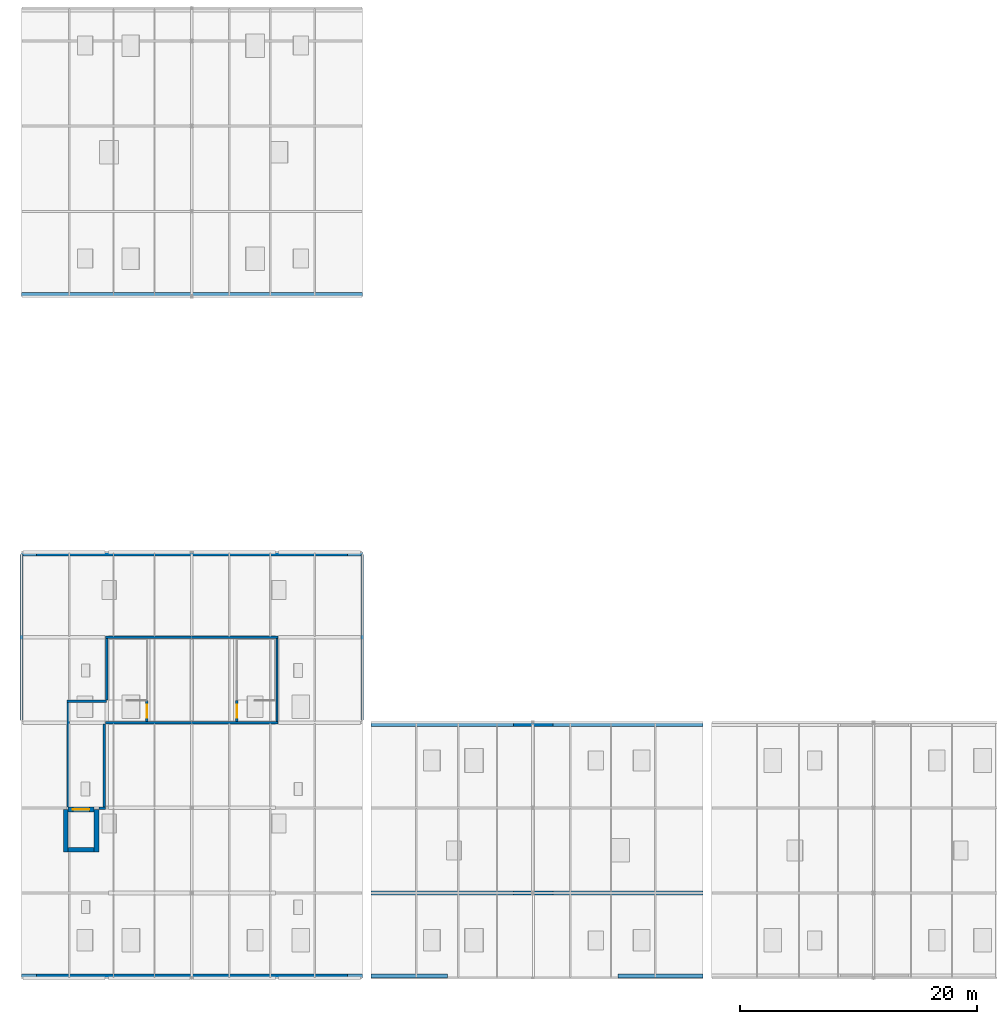
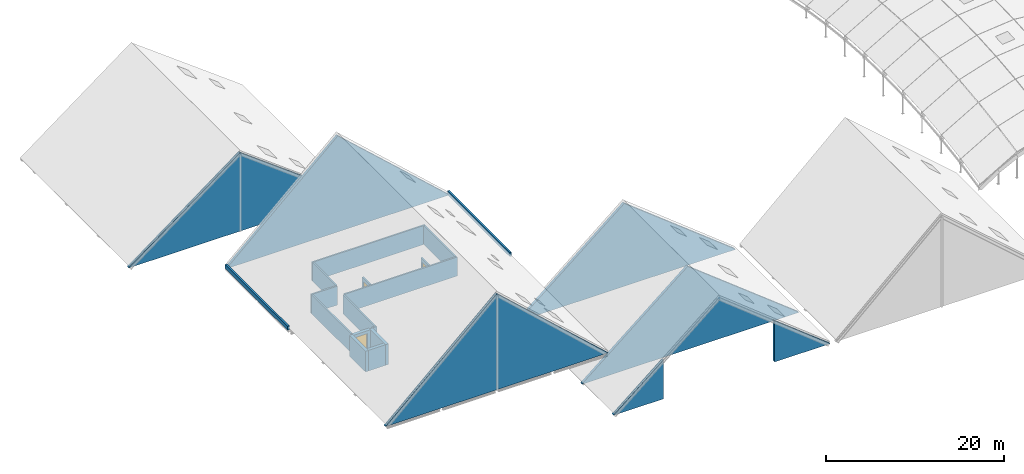
# One storey, part 33 of 35: 23 walls, 3 doors, 3 openings.
"""IFC4 building model written with IfcOpenShell, lengths in metres."""

from ifc_helpers import new_model, si_unit, direction, frame, frame_2d, origin, place, context, subcontext, project, spatial, polyline, rectangle, outline, extrude, material, layer, layer_set, type_object, element, fill, save


model = new_model("IFC4")

# Units and contexts
model_context = context("Model", 3, precision=1e-05, world=origin(), true_north=direction((0.0, 1.0)))
body_context = subcontext(model_context, "Body", "Model", "MODEL_VIEW")
ifc_project = project(units=[si_unit("LENGTHUNIT", "METRE"), si_unit("AREAUNIT", "SQUARE_METRE"), si_unit("VOLUMEUNIT", "CUBIC_METRE"), si_unit("PLANEANGLEUNIT", "RADIAN"), si_unit("MASSUNIT", "GRAM", prefix="KILO")], contexts=[model_context])

# Site, building, storey
site_placement = place(None, origin())
site = spatial("IfcSite", under=ifc_project, at=site_placement, CompositionType="ELEMENT")
building_placement = place(site_placement, origin())
building = spatial("IfcBuilding", under=site, at=building_placement, Name="Zarrinpeak Specialist Clinic", CompositionType="ELEMENT")
storey_placement = place(building_placement, frame((0.0, 0.0, 31.60009765625)))
storey = spatial("IfcBuildingStorey", under=building, at=storey_placement, Name="RF", CompositionType="ELEMENT", Elevation=31.60009765625)

# Wall
ifc_material_1 = material(Name="Concrete C40/50", Category="concrete")
ifc_layer_1 = layer(ifc_material_1, 0.39990234375)
ifc_layer_set_1 = layer_set([ifc_layer_1], Name="Concrete C40/50")
wall_type_1 = type_object("IfcWallType", Name="WL-CR400", PredefinedType="SHEAR", material=ifc_layer_set_1)
wall_1_placement = place(storey_placement, frame((3.949951171875, 10.85009765625, -0.22021484375), z_axis=(0.0, 0.0, 1.0), x_axis=(1.0, 0.0, 0.0)))
element("IfcWall", 1, at=wall_1_placement, inside=storey, type_object=wall_type_1, Name="RF Lift LF-FF1 Shaft Wall LFS", PredefinedType="SHEAR", context=body_context, shape_type="SweptSolid", body=[
    extrude(rectangle(XDim=2.199951171875, YDim=0.39990234375, at=frame_2d((1.10009765625, 0.0))), origin(), (0.0, 0.0, 1.0), 2.820068359375),
])

# Wall, opening, door
wall_2_placement = place(storey_placement, frame((3.949951171875, 14.25, 0.0), z_axis=(0.0, 0.0, 1.0), x_axis=(1.0, 0.0, 0.0)))
wall_2 = element("IfcWall", 2, at=wall_2_placement, inside=storey, type_object=wall_type_1, Name="RF Lift LF-FF1 Shaft Wall LFN", PredefinedType="SHEAR", context=body_context, shape_type="SweptSolid", body=[
    extrude(rectangle(XDim=2.199951171875, YDim=0.39990234375, at=frame_2d((1.10009765625, 0.0))), origin(), (0.0, 0.0, 1.0), 2.599853515625),
])
opening_1_placement = place(wall_2_placement, frame((0.39990234375, 0.0, 0.0)))
opening_1 = element("IfcOpeningElement", 3, at=opening_1_placement, cuts=wall_2, Name="Opening LD-01", PredefinedType="OPENING", context=body_context, shape_type="SweptSolid", body=[
    extrude(rectangle(XDim=1.39990234375, YDim=2.199951171875, at=frame_2d((0.699951171875, 1.10009765625))), frame((0.0, 0.2099609375, 0.0), z_axis=(0.0, -1.0, 0.0), x_axis=(1.0, 0.0, 0.0)), (0.0, 0.0, 1.0), 0.419921875),
])
ifc_material_2 = material(Name="Powder-Coated Galvanised Steel", Category="steel")
door_type_1 = type_object("IfcDoorType", Name="DR-LD140", OperationType="SLIDING_TO_LEFT", PredefinedType="DOOR", material=ifc_material_2)
door_1_placement = place(opening_1_placement, origin())
door_1 = element("IfcDoor", 4, at=door_1_placement, inside=storey, type_object=door_type_1, Name="RF Lift LF-FF1 Sliding Landing Door", OperationType="SLIDING_TO_LEFT", OverallHeight=2.199951171875, OverallWidth=1.39990234375, PredefinedType="DOOR", context=body_context, shape_type="SweptSolid", body=[
    extrude(rectangle(XDim=1.39990234375, YDim=2.199951171875, at=frame_2d((0.699951171875, 1.10009765625))), frame((0.0, 0.02490234375, 0.0), z_axis=(0.0, -1.0, 0.0), x_axis=(1.0, 0.0, 0.0)), (0.0, 0.0, 1.0), 0.050048828125),
])
fill(opening_1, door_1)

# Walls
for number, where, z_axis, x_axis, name in (
    (5, (3.75, 10.64990234375, -0.22021484375), (0.0, 0.0, 1.0), (0.0, 1.0, 0.0), "RF Lift LF-FF1 Shaft Wall LFW"),
    (6, (6.35009765625, 10.64990234375, -0.22021484375), (0.0, 0.0, 1.0), (0.0, 1.0, 0.0), "RF Lift LF-FF1 Shaft Wall LFE"),
):
    element("IfcWall", number, at=place(storey_placement, frame(where, z_axis=z_axis, x_axis=x_axis)), inside=storey, type_object=wall_type_1, Name=name, PredefinedType="SHEAR", context=body_context, shape_type="SweptSolid", body=[
        extrude(rectangle(XDim=3.60009765625, YDim=0.39990234375, at=frame_2d((1.800048828125, 0.0))), origin(), (0.0, 0.0, 1.0), 2.820068359375),
    ])
ifc_material_3 = material(Name="Precast concrete C40/50", Category="concrete")
ifc_layer_2 = layer(ifc_material_3, 0.340087890625)
ifc_layer_set_2 = layer_set([ifc_layer_2], Name="Precast concrete C40/50")
wall_type_2 = type_object("IfcWallType", Name="WL-EW340", PredefinedType="STANDARD", material=ifc_layer_set_2)
for number, where, z_axis, x_axis, name in (
    (7, (0.0, 0.169921875, 0.0), (0.0, 0.0, 1.0), (1.0, 0.0, 0.0), "V1 Pitched Gable End Wall 1"),
    (8, (0.0, 35.830078125, 0.0), (0.0, 0.0, 1.0), (1.0, 0.0, 0.0), "V1 Pitched Gable End Wall 2"),
):
    element("IfcWall", number, at=place(storey_placement, frame(where, z_axis=z_axis, x_axis=x_axis)), inside=storey, type_object=wall_type_2, Name=name, PredefinedType="STANDARD", context=body_context, shape_type="SweptSolid", body=[
        extrude(outline(polyline([(0.0, 0.0), (28.800048828125, 0.0), (28.800048828125, 0.0498046875), (14.39990234375, 13.14990234375), (0.0, 0.0498046875), (0.0, 0.0)])), frame((0.0, 0.169921875, 0.0), z_axis=(0.0, -1.0, 0.0), x_axis=(1.0, 0.0, 0.0)), (0.0, 0.0, 1.0), 0.340087890625),
    ])
wall_3_placement = place(storey_placement, frame((29.52001953125, 0.169921875, -8.800048828125), z_axis=(0.0, 0.0, 1.0), x_axis=(1.0, 0.0, 0.0)))
element("IfcWall", 9, at=wall_3_placement, inside=storey, type_object=wall_type_2, Name="V2 Open Loggia West Gable Cheek Wall", PredefinedType="STANDARD", context=body_context, shape_type="SweptSolid", body=[
    extrude(outline(polyline([(0.0, 0.0), (6.47998046875, 0.0), (6.47998046875, 5.349853515625), (0.0, 0.050048828125), (0.0, 0.0)])), frame((0.0, 0.169921875, 0.0), z_axis=(0.0, -1.0, 0.0), x_axis=(1.0, 0.0, 0.0)), (0.0, 0.0, 1.0), 0.340087890625),
])
wall_4_placement = place(storey_placement, frame((50.39990234375, 0.169921875, -8.800048828125), z_axis=(0.0, 0.0, 1.0), x_axis=(1.0, 0.0, 0.0)))
element("IfcWall", 10, at=wall_4_placement, inside=storey, type_object=wall_type_2, Name="V2 Open Loggia East Gable Cheek Wall", PredefinedType="STANDARD", context=body_context, shape_type="SweptSolid", body=[
    extrude(outline(polyline([(0.0, 0.0), (7.2001953125, 0.0), (7.199951171875, 0.050048828125), (0.0, 5.64990234375), (0.0, 0.0)])), frame((0.0, 0.169921875, 0.0), z_axis=(0.0, -1.0, 0.0), x_axis=(1.0, 0.0, 0.0)), (0.0, 0.0, 1.0), 0.340087890625),
])
for number, where, z_axis, x_axis, name in (
    (11, (29.52001953125, 7.199951171875, -8.800048828125), (0.0, 0.0, 1.0), (1.0, 0.0, 0.0), "V2 Recessed Arrival Loggia Gable Tympanum Wall"),
    (12, (29.52001953125, 21.429931640625, -8.800048828125), (0.0, 0.0, 1.0), (1.0, 0.0, 0.0), "V2 North Pitched Gable End Wall"),
):
    element("IfcWall", number, at=place(storey_placement, frame(where, z_axis=z_axis, x_axis=x_axis)), inside=storey, type_object=wall_type_2, Name=name, PredefinedType="STANDARD", context=body_context, shape_type="SweptSolid", body=[
        extrude(outline(polyline([(0.0, 0.0), (28.080078125, 0.0), (28.080078125, 0.050048828125), (13.679931640625, 11.349853515625), (0.0, 0.050048828125), (0.0, 0.0)])), frame((0.0, 0.169921875, 0.0), z_axis=(0.0, -1.0, 0.0), x_axis=(1.0, 0.0, 0.0)), (0.0, 0.0, 1.0), 0.340087890625),
    ])
wall_5_placement = place(storey_placement, frame((0.0, 57.77001953125, -13.2001953125), z_axis=(0.0, 0.0, 1.0), x_axis=(1.0, 0.0, 0.0)))
element("IfcWall", 13, at=wall_5_placement, inside=storey, type_object=wall_type_2, Name="V5 Pitched Gable End Wall 1", PredefinedType="STANDARD", context=body_context, shape_type="SweptSolid", body=[
    extrude(outline(polyline([(0.0, 0.0), (28.800048828125, 0.0), (28.800048828125, 0.050048828125), (14.39990234375, 10.75), (0.0, 0.050048828125), (0.0, 0.0)])), frame((0.0, 0.169921875, 0.0), z_axis=(0.0, -1.0, 0.0), x_axis=(1.0, 0.0, 0.0)), (0.0, 0.0, 1.0), 0.340087890625),
])
ifc_material_4 = material(Name="Autoclaved Aerated Concrete Blockwork", Category="masonry")
ifc_layer_3 = layer(ifc_material_4, 0.199951171875)
ifc_layer_set_3 = layer_set([ifc_layer_3], Name="Autoclaved Aerated Concrete Blockwork")
wall_type_3 = type_object("IfcWallType", Name="WL-IW200", PredefinedType="PARTITIONING", material=ifc_layer_set_3)
wall_6_placement = place(storey_placement, frame((3.949951171875, 14.449951171875, 0.0), z_axis=(0.0, 0.0, 1.0), x_axis=(0.0, 1.0, 0.0)))
element("IfcWall", 14, at=wall_6_placement, inside=storey, type_object=wall_type_3, Name="RF V1 Attic Maintenance Enclosure Wall IW-RF-LFLOB-W", PredefinedType="PARTITIONING", context=body_context, shape_type="SweptSolid", body=[
    extrude(rectangle(XDim=8.949951171875, YDim=0.199951171875, at=frame_2d((4.47509765625, 0.0))), origin(), (0.0, 0.0, 1.0), 2.599853515625),
])
wall_7_placement = place(storey_placement, frame((7.0, 14.449951171875, 0.0), z_axis=(0.0, 0.0, 1.0), x_axis=(0.0, 1.0, 0.0)))
element("IfcWall", 15, at=wall_7_placement, inside=storey, type_object=wall_type_3, Name="RF V1 Attic Maintenance Enclosure Wall IW-RF-LFLOB-E", PredefinedType="PARTITIONING", context=body_context, shape_type="SweptSolid", body=[
    extrude(rectangle(XDim=7.050048828125, YDim=0.199951171875, at=frame_2d((3.52490234375, 0.0))), origin(), (0.0, 0.0, 1.0), 2.599853515625),
])
wall_8_placement = place(storey_placement, frame((6.550048828125, 14.35009765625, 0.0), z_axis=(0.0, 0.0, 1.0), x_axis=(1.0, 0.0, 0.0)))
element("IfcWall", 16, at=wall_8_placement, inside=storey, type_object=wall_type_3, Name="RF V1 Attic Maintenance Enclosure Wall IW-RF-LFLOB-S", PredefinedType="PARTITIONING", context=body_context, shape_type="SweptSolid", body=[
    extrude(rectangle(XDim=0.550048828125, YDim=0.199951171875, at=frame_2d((0.27490234375, 0.0))), origin(), (0.0, 0.0, 1.0), 2.599853515625),
])
wall_9_placement = place(storey_placement, frame((3.85009765625, 23.39990234375, 0.0), z_axis=(0.0, 0.0, 1.0), x_axis=(1.0, 0.0, 0.0)))
element("IfcWall", 17, at=wall_9_placement, inside=storey, type_object=wall_type_3, Name="RF V1 Attic Maintenance Enclosure Wall IW-RF-LFLOB-N", PredefinedType="PARTITIONING", context=body_context, shape_type="SweptSolid", body=[
    extrude(rectangle(XDim=3.349853515625, YDim=0.199951171875, at=frame_2d((1.6748046875, 0.0))), origin(), (0.0, 0.0, 1.0), 2.599853515625),
])
for number, where, z_axis, x_axis, name in (
    (18, (7.10009765625, 21.60009765625, 0.0), (0.0, 0.0, 1.0), (1.0, 0.0, 0.0), "RF V1 Attic Maintenance Enclosure Wall IW-RF-ATTIC-S"),
    (19, (7.10009765625, 28.800048828125, 0.0), (0.0, 0.0, 1.0), (1.0, 0.0, 0.0), "RF V1 Attic Maintenance Enclosure Wall IW-RF-ATTIC-N"),
):
    element("IfcWall", number, at=place(storey_placement, frame(where, z_axis=z_axis, x_axis=x_axis)), inside=storey, type_object=wall_type_3, Name=name, PredefinedType="PARTITIONING", context=body_context, shape_type="SweptSolid", body=[
        extrude(rectangle(XDim=14.599853515625, YDim=0.199951171875, at=frame_2d((7.2998046875, 0.0))), origin(), (0.0, 0.0, 1.0), 2.599853515625),
    ])
wall_10_placement = place(storey_placement, frame((7.199951171875, 23.5, 0.0), z_axis=(0.0, 0.0, 1.0), x_axis=(0.0, 1.0, 0.0)))
element("IfcWall", 20, at=wall_10_placement, inside=storey, type_object=wall_type_3, Name="RF V1 Attic Maintenance Enclosure Wall IW-RF-ATTIC-W", PredefinedType="PARTITIONING", context=body_context, shape_type="SweptSolid", body=[
    extrude(rectangle(XDim=5.199951171875, YDim=0.199951171875, at=frame_2d((2.60009765625, 0.0))), origin(), (0.0, 0.0, 1.0), 2.599853515625),
])
wall_11_placement = place(storey_placement, frame((21.60009765625, 21.699951171875, 0.0), z_axis=(0.0, 0.0, 1.0), x_axis=(0.0, 1.0, 0.0)))
element("IfcWall", 21, at=wall_11_placement, inside=storey, type_object=wall_type_3, Name="RF V1 Attic Maintenance Enclosure Wall IW-RF-ATTIC-E", PredefinedType="PARTITIONING", context=body_context, shape_type="SweptSolid", body=[
    extrude(rectangle(XDim=7.0, YDim=0.199951171875, at=frame_2d((3.5, 0.0))), origin(), (0.0, 0.0, 1.0), 2.599853515625),
])

# Wall, opening, door
wall_12_placement = place(storey_placement, frame((10.60009765625, 21.699951171875, 0.0), z_axis=(0.0, 0.0, 1.0), x_axis=(0.0, 1.0, 0.0)))
wall_12 = element("IfcWall", 22, at=wall_12_placement, inside=storey, type_object=wall_type_3, Name="RF V1 Attic Maintenance Enclosure Wall IW-RF-ST13-DOORW", PredefinedType="PARTITIONING", context=body_context, shape_type="SweptSolid", body=[
    extrude(rectangle(XDim=1.75, YDim=0.199951171875, at=frame_2d((0.875, 0.0))), origin(), (0.0, 0.0, 1.0), 2.599853515625),
])
opening_2_placement = place(wall_12_placement, frame((0.324951171875, 0.0, 0.0)))
opening_2 = element("IfcOpeningElement", 23, at=opening_2_placement, cuts=wall_12, Name="Opening D-S02", PredefinedType="OPENING", context=body_context, shape_type="SweptSolid", body=[
    extrude(rectangle(XDim=1.10009765625, YDim=2.14990234375, at=frame_2d((0.550048828125, 1.074951171875))), frame((0.0, 0.10986328125, 0.0), z_axis=(0.0, -1.0, 0.0), x_axis=(1.0, 0.0, 0.0)), (0.0, 0.0, 1.0), 0.219970703125),
])
door_type_2 = type_object("IfcDoorType", Name="DR-FD110", OperationType="SINGLE_SWING_RIGHT", PredefinedType="DOOR", material=ifc_material_2)
door_2_placement = place(opening_2_placement, origin())
door_2 = element("IfcDoor", 24, at=door_2_placement, inside=storey, type_object=door_type_2, Name="RF Protected Attic Exit Stair ST-13 Fire Door", OperationType="SINGLE_SWING_RIGHT", OverallHeight=2.14990234375, OverallWidth=1.10009765625, PredefinedType="DOOR", context=body_context, shape_type="SweptSolid", body=[
    extrude(rectangle(XDim=1.10009765625, YDim=2.14990234375, at=frame_2d((0.550048828125, 1.074951171875))), frame((0.0, 0.02490234375, 0.0), z_axis=(0.0, -1.0, 0.0), x_axis=(1.0, 0.0, 0.0)), (0.0, 0.0, 1.0), 0.050048828125),
])
fill(opening_2, door_2)

wall_13_placement = place(storey_placement, frame((18.199951171875, 21.699951171875, 0.0), z_axis=(0.0, 0.0, 1.0), x_axis=(0.0, 1.0, 0.0)))
wall_13 = element("IfcWall", 25, at=wall_13_placement, inside=storey, type_object=wall_type_3, Name="RF V1 Attic Maintenance Enclosure Wall IW-RF-ST14-DOORW", PredefinedType="PARTITIONING", context=body_context, shape_type="SweptSolid", body=[
    extrude(rectangle(XDim=1.75, YDim=0.199951171875, at=frame_2d((0.875, 0.0))), origin(), (0.0, 0.0, 1.0), 2.599853515625),
])
opening_3_placement = place(wall_13_placement, frame((0.324951171875, 0.0, 0.0)))
opening_3 = element("IfcOpeningElement", 26, at=opening_3_placement, cuts=wall_13, Name="Opening D-S02", PredefinedType="OPENING", context=body_context, shape_type="SweptSolid", body=[
    extrude(rectangle(XDim=1.10009765625, YDim=2.14990234375, at=frame_2d((0.550048828125, 1.074951171875))), frame((0.0, 0.10986328125, 0.0), z_axis=(0.0, -1.0, 0.0), x_axis=(1.0, 0.0, 0.0)), (0.0, 0.0, 1.0), 0.219970703125),
])
door_3_placement = place(opening_3_placement, frame((1.10009765625, 0.0, 0.0), z_axis=(0.0, 0.0, 1.0), x_axis=(-1.0, 0.0, 0.0)))
door_3 = element("IfcDoor", 27, at=door_3_placement, inside=storey, type_object=door_type_2, Name="RF Protected Attic Exit Stair ST-14 Fire Door", OperationType="SINGLE_SWING_LEFT", OverallHeight=2.14990234375, OverallWidth=1.10009765625, PredefinedType="DOOR", context=body_context, shape_type="SweptSolid", body=[
    extrude(rectangle(XDim=1.10009765625, YDim=2.14990234375, at=frame_2d((0.550048828125, 1.074951171875))), frame((0.0, 0.02490234375, 0.0), z_axis=(0.0, -1.0, 0.0), x_axis=(1.0, 0.0, 0.0)), (0.0, 0.0, 1.0), 0.050048828125),
])
fill(opening_3, door_3)

# Walls
ifc_layer_4 = layer(ifc_material_3, 0.239990234375)
ifc_layer_set_4 = layer_set([ifc_layer_4], Name="Precast concrete C40/50")
wall_type_4 = type_object("IfcWallType", Name="WL-PAR240", PredefinedType="PARAPET", material=ifc_layer_set_4)
for number, where, z_axis, x_axis, name in (
    (28, (0.0, 21.800048828125, 0.0), (0.0, 0.0, 1.0), (0.0, 1.0, 0.0), "V1 Eave Gutter Parapet Upstand PAR-RF-01"),
    (29, (28.800048828125, 21.800048828125, 0.0), (0.0, 0.0, 1.0), (0.0, 1.0, 0.0), "V1 Eave Gutter Parapet Upstand PAR-RF-02"),
):
    element("IfcWall", number, at=place(storey_placement, frame(where, z_axis=z_axis, x_axis=x_axis)), inside=storey, type_object=wall_type_4, Name=name, PredefinedType="PARAPET", context=body_context, shape_type="SweptSolid", body=[
        extrude(rectangle(XDim=14.0, YDim=0.239990234375, at=frame_2d((7.0, 0.0))), origin(), (0.0, 0.0, 1.0), 0.5498046875),
    ])

save(model, "model.ifc")
